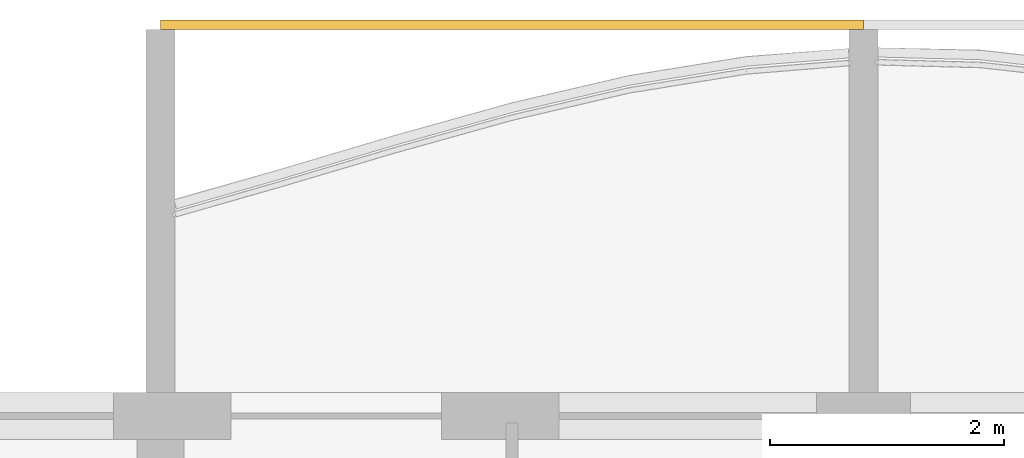
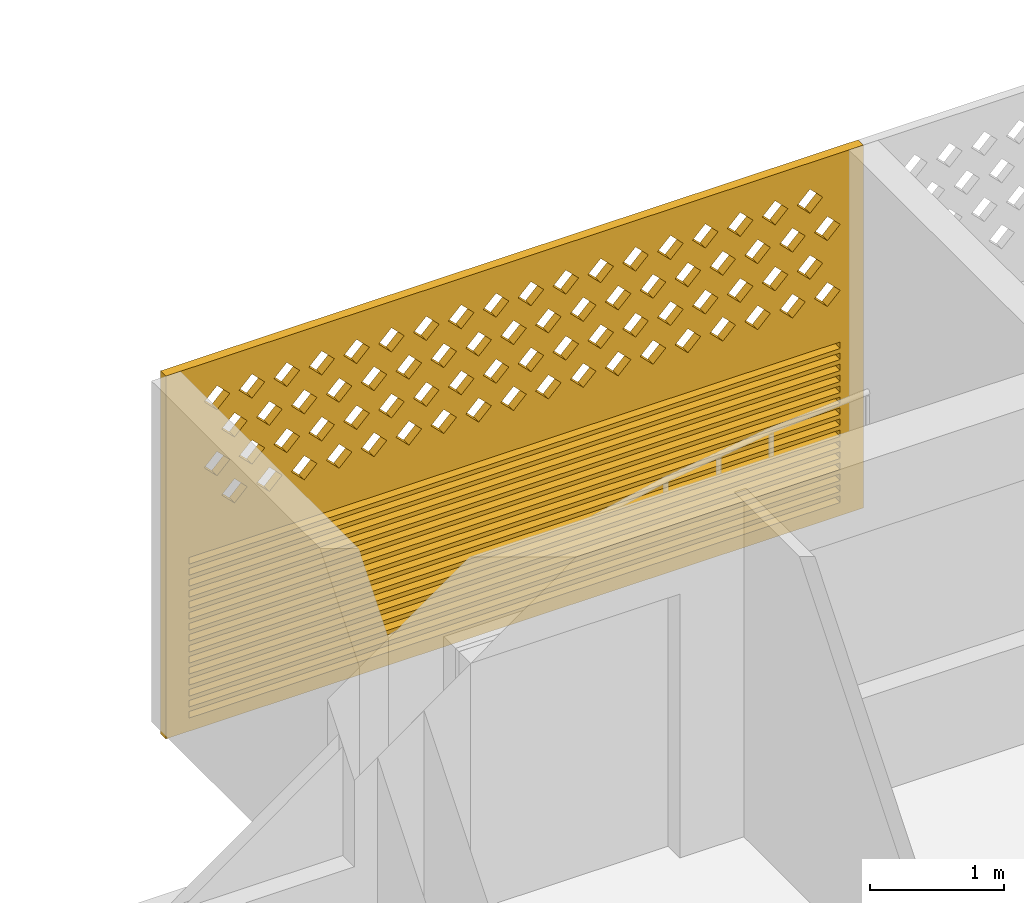
# One storey, part 27 of 44: 1 covering.
"""IFC4 building model written with IfcOpenShell, lengths in metres."""

from ifc_helpers import new_model, si_unit, direction, frame, origin, place, context, subcontext, project, spatial, polyline, outline, extrude, source, transform, mapped, material, material_profile, profile_set, type_object, element, save


model = new_model("IFC4")

# Units and contexts
model_context = context("Model", 3, precision=1e-05, world=origin(), true_north=direction((0.0, 1.0)))
body_context = subcontext(model_context, "Body", "Model", "MODEL_VIEW")
ifc_project = project(units=[si_unit("LENGTHUNIT", "METRE"), si_unit("AREAUNIT", "SQUARE_METRE"), si_unit("VOLUMEUNIT", "CUBIC_METRE"), si_unit("PLANEANGLEUNIT", "RADIAN"), si_unit("MASSUNIT", "GRAM", prefix="KILO")], contexts=[model_context])

# Site, building, storey
site_placement = place(None, origin())
site = spatial("IfcSite", under=ifc_project, at=site_placement, CompositionType="ELEMENT")
building_placement = place(site_placement, origin())
building = spatial("IfcBuilding", under=site, at=building_placement, Name="Poui Terraces", CompositionType="ELEMENT")
storey_placement = place(building_placement, frame((0.0, 0.0, 30.0)))
storey = spatial("IfcBuildingStorey", under=building, at=storey_placement, Name="L07", CompositionType="ELEMENT", Elevation=30.0)

# Covering
ifc_material = material(Name="Terracotta screen", Category="masonry")
ifc_material_profile = material_profile(ifc_material, outline(polyline([(-3.0, -1.64990234375), (3.0, -1.64990234375), (3.0, 1.64990234375), (-3.0, 1.64990234375), (-3.0, -1.64990234375)]), holes=[polyline([(-2.800048828125, 0.39990234375), (-2.68994140625, 0.2900390625), (-2.580078125, 0.39990234375), (-2.68994140625, 0.510009765625), (-2.800048828125, 0.39990234375)]), polyline([(-2.5, 0.39990234375), (-2.389892578125, 0.2900390625), (-2.280029296875, 0.39990234375), (-2.389892578125, 0.510009765625), (-2.5, 0.39990234375)]), polyline([(-2.199951171875, 0.39990234375), (-2.090087890625, 0.2900390625), (-1.97998046875, 0.39990234375), (-2.090087890625, 0.510009765625), (-2.199951171875, 0.39990234375)]), polyline([(-1.89990234375, 0.39990234375), (-1.7900390625, 0.2900390625), (-1.679931640625, 0.39990234375), (-1.7900390625, 0.510009765625), (-1.89990234375, 0.39990234375)]), polyline([(-1.60009765625, 0.39990234375), (-1.489990234375, 0.2900390625), (-1.3798828125, 0.39990234375), (-1.489990234375, 0.510009765625), (-1.60009765625, 0.39990234375)]), polyline([(-1.300048828125, 0.39990234375), (-1.18994140625, 0.2900390625), (-1.080078125, 0.39990234375), (-1.18994140625, 0.510009765625), (-1.300048828125, 0.39990234375)]), polyline([(-1.0, 0.39990234375), (-0.889892578125, 0.2900390625), (-0.780029296875, 0.39990234375), (-0.889892578125, 0.510009765625), (-1.0, 0.39990234375)]), polyline([(-0.699951171875, 0.39990234375), (-0.590087890625, 0.2900390625), (-0.47998046875, 0.39990234375), (-0.590087890625, 0.510009765625), (-0.699951171875, 0.39990234375)]), polyline([(-0.39990234375, 0.39990234375), (-0.2900390625, 0.2900390625), (-0.179931640625, 0.39990234375), (-0.2900390625, 0.510009765625), (-0.39990234375, 0.39990234375)]), polyline([(-0.10009765625, 0.39990234375), (0.010009765625, 0.2900390625), (0.1201171875, 0.39990234375), (0.010009765625, 0.510009765625), (-0.10009765625, 0.39990234375)]), polyline([(0.199951171875, 0.39990234375), (0.31005859375, 0.2900390625), (0.419921875, 0.39990234375), (0.31005859375, 0.510009765625), (0.199951171875, 0.39990234375)]), polyline([(0.5, 0.39990234375), (0.610107421875, 0.2900390625), (0.719970703125, 0.39990234375), (0.610107421875, 0.510009765625), (0.5, 0.39990234375)]), polyline([(0.800048828125, 0.39990234375), (0.909912109375, 0.2900390625), (1.02001953125, 0.39990234375), (0.909912109375, 0.510009765625), (0.800048828125, 0.39990234375)]), polyline([(1.10009765625, 0.39990234375), (1.2099609375, 0.2900390625), (1.320068359375, 0.39990234375), (1.2099609375, 0.510009765625), (1.10009765625, 0.39990234375)]), polyline([(1.39990234375, 0.39990234375), (1.510009765625, 0.2900390625), (1.6201171875, 0.39990234375), (1.510009765625, 0.510009765625), (1.39990234375, 0.39990234375)]), polyline([(1.699951171875, 0.39990234375), (1.81005859375, 0.2900390625), (1.919921875, 0.39990234375), (1.81005859375, 0.510009765625), (1.699951171875, 0.39990234375)]), polyline([(2.0, 0.39990234375), (2.110107421875, 0.2900390625), (2.219970703125, 0.39990234375), (2.110107421875, 0.510009765625), (2.0, 0.39990234375)]), polyline([(2.300048828125, 0.39990234375), (2.409912109375, 0.2900390625), (2.52001953125, 0.39990234375), (2.409912109375, 0.510009765625), (2.300048828125, 0.39990234375)]), polyline([(-2.64990234375, 0.699951171875), (-2.5400390625, 0.590087890625), (-2.429931640625, 0.699951171875), (-2.5400390625, 0.81005859375), (-2.64990234375, 0.699951171875)]), polyline([(-2.35009765625, 0.699951171875), (-2.239990234375, 0.590087890625), (-2.1298828125, 0.699951171875), (-2.239990234375, 0.81005859375), (-2.35009765625, 0.699951171875)]), polyline([(-2.050048828125, 0.699951171875), (-1.93994140625, 0.590087890625), (-1.830078125, 0.699951171875), (-1.93994140625, 0.81005859375), (-2.050048828125, 0.699951171875)]), polyline([(-1.75, 0.699951171875), (-1.639892578125, 0.590087890625), (-1.530029296875, 0.699951171875), (-1.639892578125, 0.81005859375), (-1.75, 0.699951171875)]), polyline([(-1.449951171875, 0.699951171875), (-1.340087890625, 0.590087890625), (-1.22998046875, 0.699951171875), (-1.340087890625, 0.81005859375), (-1.449951171875, 0.699951171875)]), polyline([(-1.14990234375, 0.699951171875), (-1.0400390625, 0.590087890625), (-0.929931640625, 0.699951171875), (-1.0400390625, 0.81005859375), (-1.14990234375, 0.699951171875)]), polyline([(-0.85009765625, 0.699951171875), (-0.739990234375, 0.590087890625), (-0.6298828125, 0.699951171875), (-0.739990234375, 0.81005859375), (-0.85009765625, 0.699951171875)]), polyline([(-0.550048828125, 0.699951171875), (-0.43994140625, 0.590087890625), (-0.330078125, 0.699951171875), (-0.43994140625, 0.81005859375), (-0.550048828125, 0.699951171875)]), polyline([(-0.25, 0.699951171875), (-0.139892578125, 0.590087890625), (-0.030029296875, 0.699951171875), (-0.139892578125, 0.81005859375), (-0.25, 0.699951171875)]), polyline([(0.050048828125, 0.699951171875), (0.159912109375, 0.590087890625), (0.27001953125, 0.699951171875), (0.159912109375, 0.81005859375), (0.050048828125, 0.699951171875)]), polyline([(0.35009765625, 0.699951171875), (0.4599609375, 0.590087890625), (0.570068359375, 0.699951171875), (0.4599609375, 0.81005859375), (0.35009765625, 0.699951171875)]), polyline([(0.64990234375, 0.699951171875), (0.760009765625, 0.590087890625), (0.8701171875, 0.699951171875), (0.760009765625, 0.81005859375), (0.64990234375, 0.699951171875)]), polyline([(0.949951171875, 0.699951171875), (1.06005859375, 0.590087890625), (1.169921875, 0.699951171875), (1.06005859375, 0.81005859375), (0.949951171875, 0.699951171875)]), polyline([(1.25, 0.699951171875), (1.360107421875, 0.590087890625), (1.469970703125, 0.699951171875), (1.360107421875, 0.81005859375), (1.25, 0.699951171875)]), polyline([(1.550048828125, 0.699951171875), (1.659912109375, 0.590087890625), (1.77001953125, 0.699951171875), (1.659912109375, 0.81005859375), (1.550048828125, 0.699951171875)]), polyline([(1.85009765625, 0.699951171875), (1.9599609375, 0.590087890625), (2.070068359375, 0.699951171875), (1.9599609375, 0.81005859375), (1.85009765625, 0.699951171875)]), polyline([(2.14990234375, 0.699951171875), (2.260009765625, 0.590087890625), (2.3701171875, 0.699951171875), (2.260009765625, 0.81005859375), (2.14990234375, 0.699951171875)]), polyline([(2.449951171875, 0.699951171875), (2.56005859375, 0.590087890625), (2.669921875, 0.699951171875), (2.56005859375, 0.81005859375), (2.449951171875, 0.699951171875)]), polyline([(-2.800048828125, 1.0), (-2.68994140625, 0.889892578125), (-2.580078125, 1.0), (-2.68994140625, 1.110107421875), (-2.800048828125, 1.0)]), polyline([(-2.5, 1.0), (-2.389892578125, 0.889892578125), (-2.280029296875, 1.0), (-2.389892578125, 1.110107421875), (-2.5, 1.0)]), polyline([(-2.199951171875, 1.0), (-2.090087890625, 0.889892578125), (-1.97998046875, 1.0), (-2.090087890625, 1.110107421875), (-2.199951171875, 1.0)]), polyline([(-1.89990234375, 1.0), (-1.7900390625, 0.889892578125), (-1.679931640625, 1.0), (-1.7900390625, 1.110107421875), (-1.89990234375, 1.0)]), polyline([(-1.60009765625, 1.0), (-1.489990234375, 0.889892578125), (-1.3798828125, 1.0), (-1.489990234375, 1.110107421875), (-1.60009765625, 1.0)]), polyline([(-1.300048828125, 1.0), (-1.18994140625, 0.889892578125), (-1.080078125, 1.0), (-1.18994140625, 1.110107421875), (-1.300048828125, 1.0)]), polyline([(-1.0, 1.0), (-0.889892578125, 0.889892578125), (-0.780029296875, 1.0), (-0.889892578125, 1.110107421875), (-1.0, 1.0)]), polyline([(-0.699951171875, 1.0), (-0.590087890625, 0.889892578125), (-0.47998046875, 1.0), (-0.590087890625, 1.110107421875), (-0.699951171875, 1.0)]), polyline([(-0.39990234375, 1.0), (-0.2900390625, 0.889892578125), (-0.179931640625, 1.0), (-0.2900390625, 1.110107421875), (-0.39990234375, 1.0)]), polyline([(-0.10009765625, 1.0), (0.010009765625, 0.889892578125), (0.1201171875, 1.0), (0.010009765625, 1.110107421875), (-0.10009765625, 1.0)]), polyline([(0.199951171875, 1.0), (0.31005859375, 0.889892578125), (0.419921875, 1.0), (0.31005859375, 1.110107421875), (0.199951171875, 1.0)]), polyline([(0.5, 1.0), (0.610107421875, 0.889892578125), (0.719970703125, 1.0), (0.610107421875, 1.110107421875), (0.5, 1.0)]), polyline([(0.800048828125, 1.0), (0.909912109375, 0.889892578125), (1.02001953125, 1.0), (0.909912109375, 1.110107421875), (0.800048828125, 1.0)]), polyline([(1.10009765625, 1.0), (1.2099609375, 0.889892578125), (1.320068359375, 1.0), (1.2099609375, 1.110107421875), (1.10009765625, 1.0)]), polyline([(1.39990234375, 1.0), (1.510009765625, 0.889892578125), (1.6201171875, 1.0), (1.510009765625, 1.110107421875), (1.39990234375, 1.0)]), polyline([(1.699951171875, 1.0), (1.81005859375, 0.889892578125), (1.919921875, 1.0), (1.81005859375, 1.110107421875), (1.699951171875, 1.0)]), polyline([(2.0, 1.0), (2.110107421875, 0.889892578125), (2.219970703125, 1.0), (2.110107421875, 1.110107421875), (2.0, 1.0)]), polyline([(2.300048828125, 1.0), (2.409912109375, 0.889892578125), (2.52001953125, 1.0), (2.409912109375, 1.110107421875), (2.300048828125, 1.0)]), polyline([(-2.64990234375, 1.300048828125), (-2.5400390625, 1.18994140625), (-2.429931640625, 1.300048828125), (-2.5400390625, 1.409912109375), (-2.64990234375, 1.300048828125)]), polyline([(-2.35009765625, 1.300048828125), (-2.239990234375, 1.18994140625), (-2.1298828125, 1.300048828125), (-2.239990234375, 1.409912109375), (-2.35009765625, 1.300048828125)]), polyline([(-2.050048828125, 1.300048828125), (-1.93994140625, 1.18994140625), (-1.830078125, 1.300048828125), (-1.93994140625, 1.409912109375), (-2.050048828125, 1.300048828125)]), polyline([(-1.75, 1.300048828125), (-1.639892578125, 1.18994140625), (-1.530029296875, 1.300048828125), (-1.639892578125, 1.409912109375), (-1.75, 1.300048828125)]), polyline([(-1.449951171875, 1.300048828125), (-1.340087890625, 1.18994140625), (-1.22998046875, 1.300048828125), (-1.340087890625, 1.409912109375), (-1.449951171875, 1.300048828125)]), polyline([(-1.14990234375, 1.300048828125), (-1.0400390625, 1.18994140625), (-0.929931640625, 1.300048828125), (-1.0400390625, 1.409912109375), (-1.14990234375, 1.300048828125)]), polyline([(-0.85009765625, 1.300048828125), (-0.739990234375, 1.18994140625), (-0.6298828125, 1.300048828125), (-0.739990234375, 1.409912109375), (-0.85009765625, 1.300048828125)]), polyline([(-0.550048828125, 1.300048828125), (-0.43994140625, 1.18994140625), (-0.330078125, 1.300048828125), (-0.43994140625, 1.409912109375), (-0.550048828125, 1.300048828125)]), polyline([(-0.25, 1.300048828125), (-0.139892578125, 1.18994140625), (-0.030029296875, 1.300048828125), (-0.139892578125, 1.409912109375), (-0.25, 1.300048828125)]), polyline([(0.050048828125, 1.300048828125), (0.159912109375, 1.18994140625), (0.27001953125, 1.300048828125), (0.159912109375, 1.409912109375), (0.050048828125, 1.300048828125)]), polyline([(0.35009765625, 1.300048828125), (0.4599609375, 1.18994140625), (0.570068359375, 1.300048828125), (0.4599609375, 1.409912109375), (0.35009765625, 1.300048828125)]), polyline([(0.64990234375, 1.300048828125), (0.760009765625, 1.18994140625), (0.8701171875, 1.300048828125), (0.760009765625, 1.409912109375), (0.64990234375, 1.300048828125)]), polyline([(0.949951171875, 1.300048828125), (1.06005859375, 1.18994140625), (1.169921875, 1.300048828125), (1.06005859375, 1.409912109375), (0.949951171875, 1.300048828125)]), polyline([(1.25, 1.300048828125), (1.360107421875, 1.18994140625), (1.469970703125, 1.300048828125), (1.360107421875, 1.409912109375), (1.25, 1.300048828125)]), polyline([(1.550048828125, 1.300048828125), (1.659912109375, 1.18994140625), (1.77001953125, 1.300048828125), (1.659912109375, 1.409912109375), (1.550048828125, 1.300048828125)]), polyline([(1.85009765625, 1.300048828125), (1.9599609375, 1.18994140625), (2.070068359375, 1.300048828125), (1.9599609375, 1.409912109375), (1.85009765625, 1.300048828125)]), polyline([(2.14990234375, 1.300048828125), (2.260009765625, 1.18994140625), (2.3701171875, 1.300048828125), (2.260009765625, 1.409912109375), (2.14990234375, 1.300048828125)]), polyline([(2.449951171875, 1.300048828125), (2.56005859375, 1.18994140625), (2.669921875, 1.300048828125), (2.56005859375, 1.409912109375), (2.449951171875, 1.300048828125)]), polyline([(-2.800048828125, -1.530029296875), (2.800048828125, -1.530029296875), (2.800048828125, -1.469970703125), (-2.800048828125, -1.469970703125), (-2.800048828125, -1.530029296875)]), polyline([(-2.800048828125, -1.429931640625), (2.800048828125, -1.429931640625), (2.800048828125, -1.3701171875), (-2.800048828125, -1.3701171875), (-2.800048828125, -1.429931640625)]), polyline([(-2.800048828125, -1.330078125), (2.800048828125, -1.330078125), (2.800048828125, -1.27001953125), (-2.800048828125, -1.27001953125), (-2.800048828125, -1.330078125)]), polyline([(-2.800048828125, -1.22998046875), (2.800048828125, -1.22998046875), (2.800048828125, -1.169921875), (-2.800048828125, -1.169921875), (-2.800048828125, -1.22998046875)]), polyline([(-2.800048828125, -1.1298828125), (2.800048828125, -1.1298828125), (2.800048828125, -1.070068359375), (-2.800048828125, -1.070068359375), (-2.800048828125, -1.1298828125)]), polyline([(-2.800048828125, -1.030029296875), (2.800048828125, -1.030029296875), (2.800048828125, -0.969970703125), (-2.800048828125, -0.969970703125), (-2.800048828125, -1.030029296875)]), polyline([(-2.800048828125, -0.929931640625), (2.800048828125, -0.929931640625), (2.800048828125, -0.8701171875), (-2.800048828125, -0.8701171875), (-2.800048828125, -0.929931640625)]), polyline([(-2.800048828125, -0.830078125), (2.800048828125, -0.830078125), (2.800048828125, -0.77001953125), (-2.800048828125, -0.77001953125), (-2.800048828125, -0.830078125)]), polyline([(-2.800048828125, -0.72998046875), (2.800048828125, -0.72998046875), (2.800048828125, -0.669921875), (-2.800048828125, -0.669921875), (-2.800048828125, -0.72998046875)]), polyline([(-2.800048828125, -0.6298828125), (2.800048828125, -0.6298828125), (2.800048828125, -0.570068359375), (-2.800048828125, -0.570068359375), (-2.800048828125, -0.6298828125)]), polyline([(-2.800048828125, -0.530029296875), (2.800048828125, -0.530029296875), (2.800048828125, -0.469970703125), (-2.800048828125, -0.469970703125), (-2.800048828125, -0.530029296875)]), polyline([(-2.800048828125, -0.429931640625), (2.800048828125, -0.429931640625), (2.800048828125, -0.3701171875), (-2.800048828125, -0.3701171875), (-2.800048828125, -0.429931640625)]), polyline([(-2.800048828125, -0.330078125), (2.800048828125, -0.330078125), (2.800048828125, -0.27001953125), (-2.800048828125, -0.27001953125), (-2.800048828125, -0.330078125)]), polyline([(-2.800048828125, -0.22998046875), (2.800048828125, -0.22998046875), (2.800048828125, -0.169921875), (-2.800048828125, -0.169921875), (-2.800048828125, -0.22998046875)]), polyline([(-2.800048828125, -0.1298828125), (2.800048828125, -0.1298828125), (2.800048828125, -0.070068359375), (-2.800048828125, -0.070068359375), (-2.800048828125, -0.1298828125)])]), Name="TERRACOTTA SCREEN AND JALOUSIE LOUVRE 6000X3300")
ifc_profile_set = profile_set([ifc_material_profile], Name="Terracotta screen")
covering_type = type_object("IfcCoveringType", Name="TERRACOTTA SCREEN AND JALOUSIE LOUVRE 6000X3300", PredefinedType="CLADDING", material=ifc_profile_set)
shared_shape = source(origin(), body_context, "Body", "SweptSolid", [
    extrude(outline(polyline([(-3.0, -1.64990234375), (3.0, -1.64990234375), (3.0, 1.64990234375), (-3.0, 1.64990234375), (-3.0, -1.64990234375)]), holes=[polyline([(-2.800048828125, 0.39990234375), (-2.68994140625, 0.2900390625), (-2.580078125, 0.39990234375), (-2.68994140625, 0.510009765625), (-2.800048828125, 0.39990234375)]), polyline([(-2.5, 0.39990234375), (-2.389892578125, 0.2900390625), (-2.280029296875, 0.39990234375), (-2.389892578125, 0.510009765625), (-2.5, 0.39990234375)]), polyline([(-2.199951171875, 0.39990234375), (-2.090087890625, 0.2900390625), (-1.97998046875, 0.39990234375), (-2.090087890625, 0.510009765625), (-2.199951171875, 0.39990234375)]), polyline([(-1.89990234375, 0.39990234375), (-1.7900390625, 0.2900390625), (-1.679931640625, 0.39990234375), (-1.7900390625, 0.510009765625), (-1.89990234375, 0.39990234375)]), polyline([(-1.60009765625, 0.39990234375), (-1.489990234375, 0.2900390625), (-1.3798828125, 0.39990234375), (-1.489990234375, 0.510009765625), (-1.60009765625, 0.39990234375)]), polyline([(-1.300048828125, 0.39990234375), (-1.18994140625, 0.2900390625), (-1.080078125, 0.39990234375), (-1.18994140625, 0.510009765625), (-1.300048828125, 0.39990234375)]), polyline([(-1.0, 0.39990234375), (-0.889892578125, 0.2900390625), (-0.780029296875, 0.39990234375), (-0.889892578125, 0.510009765625), (-1.0, 0.39990234375)]), polyline([(-0.699951171875, 0.39990234375), (-0.590087890625, 0.2900390625), (-0.47998046875, 0.39990234375), (-0.590087890625, 0.510009765625), (-0.699951171875, 0.39990234375)]), polyline([(-0.39990234375, 0.39990234375), (-0.2900390625, 0.2900390625), (-0.179931640625, 0.39990234375), (-0.2900390625, 0.510009765625), (-0.39990234375, 0.39990234375)]), polyline([(-0.10009765625, 0.39990234375), (0.010009765625, 0.2900390625), (0.1201171875, 0.39990234375), (0.010009765625, 0.510009765625), (-0.10009765625, 0.39990234375)]), polyline([(0.199951171875, 0.39990234375), (0.31005859375, 0.2900390625), (0.419921875, 0.39990234375), (0.31005859375, 0.510009765625), (0.199951171875, 0.39990234375)]), polyline([(0.5, 0.39990234375), (0.610107421875, 0.2900390625), (0.719970703125, 0.39990234375), (0.610107421875, 0.510009765625), (0.5, 0.39990234375)]), polyline([(0.800048828125, 0.39990234375), (0.909912109375, 0.2900390625), (1.02001953125, 0.39990234375), (0.909912109375, 0.510009765625), (0.800048828125, 0.39990234375)]), polyline([(1.10009765625, 0.39990234375), (1.2099609375, 0.2900390625), (1.320068359375, 0.39990234375), (1.2099609375, 0.510009765625), (1.10009765625, 0.39990234375)]), polyline([(1.39990234375, 0.39990234375), (1.510009765625, 0.2900390625), (1.6201171875, 0.39990234375), (1.510009765625, 0.510009765625), (1.39990234375, 0.39990234375)]), polyline([(1.699951171875, 0.39990234375), (1.81005859375, 0.2900390625), (1.919921875, 0.39990234375), (1.81005859375, 0.510009765625), (1.699951171875, 0.39990234375)]), polyline([(2.0, 0.39990234375), (2.110107421875, 0.2900390625), (2.219970703125, 0.39990234375), (2.110107421875, 0.510009765625), (2.0, 0.39990234375)]), polyline([(2.300048828125, 0.39990234375), (2.409912109375, 0.2900390625), (2.52001953125, 0.39990234375), (2.409912109375, 0.510009765625), (2.300048828125, 0.39990234375)]), polyline([(-2.64990234375, 0.699951171875), (-2.5400390625, 0.590087890625), (-2.429931640625, 0.699951171875), (-2.5400390625, 0.81005859375), (-2.64990234375, 0.699951171875)]), polyline([(-2.35009765625, 0.699951171875), (-2.239990234375, 0.590087890625), (-2.1298828125, 0.699951171875), (-2.239990234375, 0.81005859375), (-2.35009765625, 0.699951171875)]), polyline([(-2.050048828125, 0.699951171875), (-1.93994140625, 0.590087890625), (-1.830078125, 0.699951171875), (-1.93994140625, 0.81005859375), (-2.050048828125, 0.699951171875)]), polyline([(-1.75, 0.699951171875), (-1.639892578125, 0.590087890625), (-1.530029296875, 0.699951171875), (-1.639892578125, 0.81005859375), (-1.75, 0.699951171875)]), polyline([(-1.449951171875, 0.699951171875), (-1.340087890625, 0.590087890625), (-1.22998046875, 0.699951171875), (-1.340087890625, 0.81005859375), (-1.449951171875, 0.699951171875)]), polyline([(-1.14990234375, 0.699951171875), (-1.0400390625, 0.590087890625), (-0.929931640625, 0.699951171875), (-1.0400390625, 0.81005859375), (-1.14990234375, 0.699951171875)]), polyline([(-0.85009765625, 0.699951171875), (-0.739990234375, 0.590087890625), (-0.6298828125, 0.699951171875), (-0.739990234375, 0.81005859375), (-0.85009765625, 0.699951171875)]), polyline([(-0.550048828125, 0.699951171875), (-0.43994140625, 0.590087890625), (-0.330078125, 0.699951171875), (-0.43994140625, 0.81005859375), (-0.550048828125, 0.699951171875)]), polyline([(-0.25, 0.699951171875), (-0.139892578125, 0.590087890625), (-0.030029296875, 0.699951171875), (-0.139892578125, 0.81005859375), (-0.25, 0.699951171875)]), polyline([(0.050048828125, 0.699951171875), (0.159912109375, 0.590087890625), (0.27001953125, 0.699951171875), (0.159912109375, 0.81005859375), (0.050048828125, 0.699951171875)]), polyline([(0.35009765625, 0.699951171875), (0.4599609375, 0.590087890625), (0.570068359375, 0.699951171875), (0.4599609375, 0.81005859375), (0.35009765625, 0.699951171875)]), polyline([(0.64990234375, 0.699951171875), (0.760009765625, 0.590087890625), (0.8701171875, 0.699951171875), (0.760009765625, 0.81005859375), (0.64990234375, 0.699951171875)]), polyline([(0.949951171875, 0.699951171875), (1.06005859375, 0.590087890625), (1.169921875, 0.699951171875), (1.06005859375, 0.81005859375), (0.949951171875, 0.699951171875)]), polyline([(1.25, 0.699951171875), (1.360107421875, 0.590087890625), (1.469970703125, 0.699951171875), (1.360107421875, 0.81005859375), (1.25, 0.699951171875)]), polyline([(1.550048828125, 0.699951171875), (1.659912109375, 0.590087890625), (1.77001953125, 0.699951171875), (1.659912109375, 0.81005859375), (1.550048828125, 0.699951171875)]), polyline([(1.85009765625, 0.699951171875), (1.9599609375, 0.590087890625), (2.070068359375, 0.699951171875), (1.9599609375, 0.81005859375), (1.85009765625, 0.699951171875)]), polyline([(2.14990234375, 0.699951171875), (2.260009765625, 0.590087890625), (2.3701171875, 0.699951171875), (2.260009765625, 0.81005859375), (2.14990234375, 0.699951171875)]), polyline([(2.449951171875, 0.699951171875), (2.56005859375, 0.590087890625), (2.669921875, 0.699951171875), (2.56005859375, 0.81005859375), (2.449951171875, 0.699951171875)]), polyline([(-2.800048828125, 1.0), (-2.68994140625, 0.889892578125), (-2.580078125, 1.0), (-2.68994140625, 1.110107421875), (-2.800048828125, 1.0)]), polyline([(-2.5, 1.0), (-2.389892578125, 0.889892578125), (-2.280029296875, 1.0), (-2.389892578125, 1.110107421875), (-2.5, 1.0)]), polyline([(-2.199951171875, 1.0), (-2.090087890625, 0.889892578125), (-1.97998046875, 1.0), (-2.090087890625, 1.110107421875), (-2.199951171875, 1.0)]), polyline([(-1.89990234375, 1.0), (-1.7900390625, 0.889892578125), (-1.679931640625, 1.0), (-1.7900390625, 1.110107421875), (-1.89990234375, 1.0)]), polyline([(-1.60009765625, 1.0), (-1.489990234375, 0.889892578125), (-1.3798828125, 1.0), (-1.489990234375, 1.110107421875), (-1.60009765625, 1.0)]), polyline([(-1.300048828125, 1.0), (-1.18994140625, 0.889892578125), (-1.080078125, 1.0), (-1.18994140625, 1.110107421875), (-1.300048828125, 1.0)]), polyline([(-1.0, 1.0), (-0.889892578125, 0.889892578125), (-0.780029296875, 1.0), (-0.889892578125, 1.110107421875), (-1.0, 1.0)]), polyline([(-0.699951171875, 1.0), (-0.590087890625, 0.889892578125), (-0.47998046875, 1.0), (-0.590087890625, 1.110107421875), (-0.699951171875, 1.0)]), polyline([(-0.39990234375, 1.0), (-0.2900390625, 0.889892578125), (-0.179931640625, 1.0), (-0.2900390625, 1.110107421875), (-0.39990234375, 1.0)]), polyline([(-0.10009765625, 1.0), (0.010009765625, 0.889892578125), (0.1201171875, 1.0), (0.010009765625, 1.110107421875), (-0.10009765625, 1.0)]), polyline([(0.199951171875, 1.0), (0.31005859375, 0.889892578125), (0.419921875, 1.0), (0.31005859375, 1.110107421875), (0.199951171875, 1.0)]), polyline([(0.5, 1.0), (0.610107421875, 0.889892578125), (0.719970703125, 1.0), (0.610107421875, 1.110107421875), (0.5, 1.0)]), polyline([(0.800048828125, 1.0), (0.909912109375, 0.889892578125), (1.02001953125, 1.0), (0.909912109375, 1.110107421875), (0.800048828125, 1.0)]), polyline([(1.10009765625, 1.0), (1.2099609375, 0.889892578125), (1.320068359375, 1.0), (1.2099609375, 1.110107421875), (1.10009765625, 1.0)]), polyline([(1.39990234375, 1.0), (1.510009765625, 0.889892578125), (1.6201171875, 1.0), (1.510009765625, 1.110107421875), (1.39990234375, 1.0)]), polyline([(1.699951171875, 1.0), (1.81005859375, 0.889892578125), (1.919921875, 1.0), (1.81005859375, 1.110107421875), (1.699951171875, 1.0)]), polyline([(2.0, 1.0), (2.110107421875, 0.889892578125), (2.219970703125, 1.0), (2.110107421875, 1.110107421875), (2.0, 1.0)]), polyline([(2.300048828125, 1.0), (2.409912109375, 0.889892578125), (2.52001953125, 1.0), (2.409912109375, 1.110107421875), (2.300048828125, 1.0)]), polyline([(-2.64990234375, 1.300048828125), (-2.5400390625, 1.18994140625), (-2.429931640625, 1.300048828125), (-2.5400390625, 1.409912109375), (-2.64990234375, 1.300048828125)]), polyline([(-2.35009765625, 1.300048828125), (-2.239990234375, 1.18994140625), (-2.1298828125, 1.300048828125), (-2.239990234375, 1.409912109375), (-2.35009765625, 1.300048828125)]), polyline([(-2.050048828125, 1.300048828125), (-1.93994140625, 1.18994140625), (-1.830078125, 1.300048828125), (-1.93994140625, 1.409912109375), (-2.050048828125, 1.300048828125)]), polyline([(-1.75, 1.300048828125), (-1.639892578125, 1.18994140625), (-1.530029296875, 1.300048828125), (-1.639892578125, 1.409912109375), (-1.75, 1.300048828125)]), polyline([(-1.449951171875, 1.300048828125), (-1.340087890625, 1.18994140625), (-1.22998046875, 1.300048828125), (-1.340087890625, 1.409912109375), (-1.449951171875, 1.300048828125)]), polyline([(-1.14990234375, 1.300048828125), (-1.0400390625, 1.18994140625), (-0.929931640625, 1.300048828125), (-1.0400390625, 1.409912109375), (-1.14990234375, 1.300048828125)]), polyline([(-0.85009765625, 1.300048828125), (-0.739990234375, 1.18994140625), (-0.6298828125, 1.300048828125), (-0.739990234375, 1.409912109375), (-0.85009765625, 1.300048828125)]), polyline([(-0.550048828125, 1.300048828125), (-0.43994140625, 1.18994140625), (-0.330078125, 1.300048828125), (-0.43994140625, 1.409912109375), (-0.550048828125, 1.300048828125)]), polyline([(-0.25, 1.300048828125), (-0.139892578125, 1.18994140625), (-0.030029296875, 1.300048828125), (-0.139892578125, 1.409912109375), (-0.25, 1.300048828125)]), polyline([(0.050048828125, 1.300048828125), (0.159912109375, 1.18994140625), (0.27001953125, 1.300048828125), (0.159912109375, 1.409912109375), (0.050048828125, 1.300048828125)]), polyline([(0.35009765625, 1.300048828125), (0.4599609375, 1.18994140625), (0.570068359375, 1.300048828125), (0.4599609375, 1.409912109375), (0.35009765625, 1.300048828125)]), polyline([(0.64990234375, 1.300048828125), (0.760009765625, 1.18994140625), (0.8701171875, 1.300048828125), (0.760009765625, 1.409912109375), (0.64990234375, 1.300048828125)]), polyline([(0.949951171875, 1.300048828125), (1.06005859375, 1.18994140625), (1.169921875, 1.300048828125), (1.06005859375, 1.409912109375), (0.949951171875, 1.300048828125)]), polyline([(1.25, 1.300048828125), (1.360107421875, 1.18994140625), (1.469970703125, 1.300048828125), (1.360107421875, 1.409912109375), (1.25, 1.300048828125)]), polyline([(1.550048828125, 1.300048828125), (1.659912109375, 1.18994140625), (1.77001953125, 1.300048828125), (1.659912109375, 1.409912109375), (1.550048828125, 1.300048828125)]), polyline([(1.85009765625, 1.300048828125), (1.9599609375, 1.18994140625), (2.070068359375, 1.300048828125), (1.9599609375, 1.409912109375), (1.85009765625, 1.300048828125)]), polyline([(2.14990234375, 1.300048828125), (2.260009765625, 1.18994140625), (2.3701171875, 1.300048828125), (2.260009765625, 1.409912109375), (2.14990234375, 1.300048828125)]), polyline([(2.449951171875, 1.300048828125), (2.56005859375, 1.18994140625), (2.669921875, 1.300048828125), (2.56005859375, 1.409912109375), (2.449951171875, 1.300048828125)]), polyline([(-2.800048828125, -1.530029296875), (2.800048828125, -1.530029296875), (2.800048828125, -1.469970703125), (-2.800048828125, -1.469970703125), (-2.800048828125, -1.530029296875)]), polyline([(-2.800048828125, -1.429931640625), (2.800048828125, -1.429931640625), (2.800048828125, -1.3701171875), (-2.800048828125, -1.3701171875), (-2.800048828125, -1.429931640625)]), polyline([(-2.800048828125, -1.330078125), (2.800048828125, -1.330078125), (2.800048828125, -1.27001953125), (-2.800048828125, -1.27001953125), (-2.800048828125, -1.330078125)]), polyline([(-2.800048828125, -1.22998046875), (2.800048828125, -1.22998046875), (2.800048828125, -1.169921875), (-2.800048828125, -1.169921875), (-2.800048828125, -1.22998046875)]), polyline([(-2.800048828125, -1.1298828125), (2.800048828125, -1.1298828125), (2.800048828125, -1.070068359375), (-2.800048828125, -1.070068359375), (-2.800048828125, -1.1298828125)]), polyline([(-2.800048828125, -1.030029296875), (2.800048828125, -1.030029296875), (2.800048828125, -0.969970703125), (-2.800048828125, -0.969970703125), (-2.800048828125, -1.030029296875)]), polyline([(-2.800048828125, -0.929931640625), (2.800048828125, -0.929931640625), (2.800048828125, -0.8701171875), (-2.800048828125, -0.8701171875), (-2.800048828125, -0.929931640625)]), polyline([(-2.800048828125, -0.830078125), (2.800048828125, -0.830078125), (2.800048828125, -0.77001953125), (-2.800048828125, -0.77001953125), (-2.800048828125, -0.830078125)]), polyline([(-2.800048828125, -0.72998046875), (2.800048828125, -0.72998046875), (2.800048828125, -0.669921875), (-2.800048828125, -0.669921875), (-2.800048828125, -0.72998046875)]), polyline([(-2.800048828125, -0.6298828125), (2.800048828125, -0.6298828125), (2.800048828125, -0.570068359375), (-2.800048828125, -0.570068359375), (-2.800048828125, -0.6298828125)]), polyline([(-2.800048828125, -0.530029296875), (2.800048828125, -0.530029296875), (2.800048828125, -0.469970703125), (-2.800048828125, -0.469970703125), (-2.800048828125, -0.530029296875)]), polyline([(-2.800048828125, -0.429931640625), (2.800048828125, -0.429931640625), (2.800048828125, -0.3701171875), (-2.800048828125, -0.3701171875), (-2.800048828125, -0.429931640625)]), polyline([(-2.800048828125, -0.330078125), (2.800048828125, -0.330078125), (2.800048828125, -0.27001953125), (-2.800048828125, -0.27001953125), (-2.800048828125, -0.330078125)]), polyline([(-2.800048828125, -0.22998046875), (2.800048828125, -0.22998046875), (2.800048828125, -0.169921875), (-2.800048828125, -0.169921875), (-2.800048828125, -0.22998046875)]), polyline([(-2.800048828125, -0.1298828125), (2.800048828125, -0.1298828125), (2.800048828125, -0.070068359375), (-2.800048828125, -0.070068359375), (-2.800048828125, -0.1298828125)])]), origin(), (0.0, 0.0, 1.0), 0.079833984375),
])
covering_placement = place(storey_placement, frame((33.0, 48.10009765625, 1.449951171875), z_axis=(0.0, 1.0, 0.0), x_axis=(-1.0, 0.0, 0.0)))
element("IfcCovering", 1, at=covering_placement, inside=storey, type_object=covering_type, Name="SOLAR SCREEN AND JALOUSIE LOUVRE", PredefinedType="CLADDING", context=body_context, shape_type="MappedRepresentation", body=[
    mapped(shared_shape, transform((0.0, 0.0, 0.0))),
])

save(model, "model.ifc")
